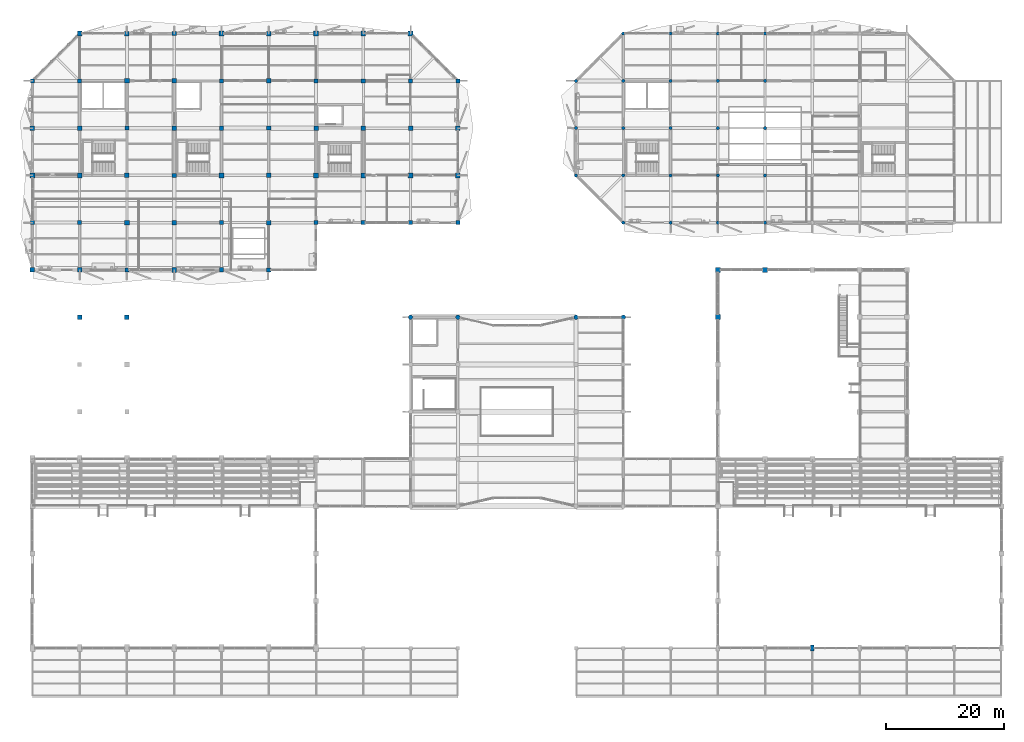
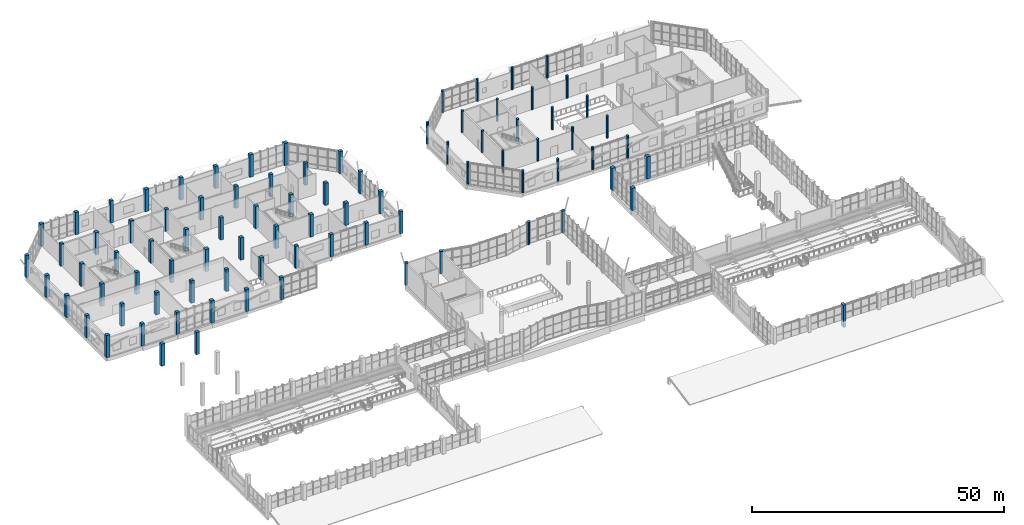
# One storey, part 5 of 122: 87 columns.
"""IFC4 building model written with IfcOpenShell, lengths in metres."""

from ifc_helpers import new_model, si_unit, direction, frame, origin, origin_2d, place, context, subcontext, project, spatial, rectangle, circle, extrude, material, material_profile, profile_set, type_object, element, save


model = new_model("IFC4")

# Units and contexts
model_context = context("Model", 3, precision=1e-05, world=origin(), true_north=direction((0.0, 1.0)))
body_context = subcontext(model_context, "Body", "Model", "MODEL_VIEW")
ifc_project = project(units=[si_unit("LENGTHUNIT", "METRE"), si_unit("AREAUNIT", "SQUARE_METRE"), si_unit("VOLUMEUNIT", "CUBIC_METRE"), si_unit("PLANEANGLEUNIT", "RADIAN"), si_unit("MASSUNIT", "GRAM", prefix="KILO")], contexts=[model_context])

# Site, building, storey
site_placement = place(None, origin())
site = spatial("IfcSite", under=ifc_project, at=site_placement, CompositionType="ELEMENT")
building_placement = place(site_placement, origin())
building = spatial("IfcBuilding", under=site, at=building_placement, Name="Tenunan Teduh Sports Hall", CompositionType="ELEMENT")
storey_placement = place(building_placement, frame((0.0, 0.0, 5.39990234375)))
storey = spatial("IfcBuildingStorey", under=building, at=storey_placement, Name="L01", CompositionType="ELEMENT", Elevation=5.39990234375)

# Columns
ifc_material_1 = material(Name="Concrete C40/50", Category="concrete")
ifc_material_profile_1 = material_profile(ifc_material_1, rectangle(XDim=0.60009765625, YDim=1.0, at=origin_2d()), Name="RC 600x1000")
ifc_profile_set_1 = profile_set([ifc_material_profile_1], Name="Concrete C40/50")
column_type_1 = type_object("IfcColumnType", Name="COL-RC-600x1000", PredefinedType="COLUMN", material=ifc_profile_set_1)
column_placement = place(storey_placement, frame((138.0, 14.0, 0.0), z_axis=(0.0, 0.0, 1.0), x_axis=(1.0, 0.0, 0.0)))
element("IfcColumn", 1, at=column_placement, inside=storey, type_object=column_type_1, Name="COL-C-16-L01-177", PredefinedType="COLUMN", context=body_context, shape_type="SweptSolid", body=[
    extrude(rectangle(XDim=0.60009765625, YDim=1.0, at=origin_2d()), origin(), (0.0, 0.0, 1.0), 5.400146484375),
])
ifc_material_2 = material(Name="Concrete C40/50", Category="concrete")
ifc_material_profile_2 = material_profile(ifc_material_2, rectangle(XDim=0.699951171875, YDim=0.699951171875, at=origin_2d()), Name="RC 700x700")
ifc_profile_set_2 = profile_set([ifc_material_profile_2], Name="Concrete C40/50")
column_type_2 = type_object("IfcColumnType", Name="COL-RC-700", PredefinedType="COLUMN", material=ifc_profile_set_2)
for number, where, z_axis, x_axis, name in (
    (2, (6.0, 86.0, 0.0), (0.0, 0.0, 1.0), (1.0, 0.0, 0.0), "COL-C-07-L01-011"),
    (3, (6.0, 110.0, 0.0), (0.0, 0.0, 1.0), (1.0, 0.0, 0.0), "COL-C-07-L01-014"),
    (4, (14.0, 86.0, 0.0), (0.0, 0.0, 1.0), (1.0, 0.0, 0.0), "COL-C-07-L01-023"),
    (5, (14.0, 110.0, 0.0), (0.0, 0.0, 1.0), (1.0, 0.0, 0.0), "COL-C-07-L01-026"),
    (6, (22.0, 78.0, 0.0), (0.0, 0.0, 1.0), (1.0, 0.0, 0.0), "COL-C-07-L01-035"),
    (7, (22.0, 102.0, 0.0), (0.0, 0.0, 1.0), (1.0, 0.0, 0.0), "COL-C-07-L01-038"),
    (8, (30.0, 94.0, 0.0), (0.0, 0.0, 1.0), (1.0, 0.0, 0.0), "COL-C-07-L01-047"),
    (9, (30.0, 118.0, 0.0), (0.0, 0.0, 1.0), (1.0, 0.0, 0.0), "COL-C-07-L01-050"),
    (10, (38.0, 86.0, 0.0), (0.0, 0.0, 1.0), (1.0, 0.0, 0.0), "COL-C-07-L01-056"),
    (11, (38.0, 110.0, 0.0), (0.0, 0.0, 1.0), (1.0, 0.0, 0.0), "COL-C-07-L01-059"),
    (12, (46.0, 78.0, 0.0), (0.0, 0.0, 1.0), (1.0, 0.0, 0.0), "COL-C-07-L01-065"),
    (13, (46.0, 102.0, 0.0), (0.0, 0.0, 1.0), (1.0, 0.0, 0.0), "COL-C-07-L01-068"),
    (14, (54.0, 86.0, 0.0), (0.0, 0.0, 1.0), (1.0, 0.0, 0.0), "COL-C-07-L01-080"),
    (15, (54.0, 110.0, 0.0), (0.0, 0.0, 1.0), (1.0, 0.0, 0.0), "COL-C-07-L01-083"),
    (16, (62.0, 86.0, 0.0), (0.0, 0.0, 1.0), (1.0, 0.0, 0.0), "COL-C-07-L01-092"),
    (17, (62.0, 110.0, 0.0), (0.0, 0.0, 1.0), (1.0, 0.0, 0.0), "COL-C-07-L01-095"),
    (18, (70.0, 86.0, 0.0), (0.0, 0.0, 1.0), (1.0, 0.0, 0.0), "COL-C-07-L01-104"),
    (19, (70.0, 110.0, 0.0), (0.0, 0.0, 1.0), (1.0, 0.0, 0.0), "COL-C-07-L01-107"),
    (20, (78.0, 86.0, 0.0), (0.0, 0.0, 1.0), (1.0, 0.0, 0.0), "COL-C-07-L01-116"),
    (21, (78.0, 110.0, 0.0), (0.0, 0.0, 1.0), (1.0, 0.0, 0.0), "COL-C-07-L01-119"),
):
    element("IfcColumn", number, at=place(storey_placement, frame(where, z_axis=z_axis, x_axis=x_axis)), inside=storey, type_object=column_type_2, Name=name, PredefinedType="COLUMN", context=body_context, shape_type="SweptSolid", body=[
        extrude(rectangle(XDim=0.699951171875, YDim=0.699951171875, at=origin_2d()), origin(), (0.0, 0.0, 1.0), 5.400146484375),
    ])
ifc_material_3 = material(Name="Concrete C40/50", Category="concrete")
ifc_material_profile_3 = material_profile(ifc_material_3, rectangle(XDim=0.75, YDim=0.75, at=origin_2d()), Name="RC 750x750")
ifc_profile_set_3 = profile_set([ifc_material_profile_3], Name="Concrete C40/50")
column_type_3 = type_object("IfcColumnType", Name="COL-RC-750", PredefinedType="COLUMN", material=ifc_profile_set_3)
for number, where, z_axis, x_axis, name in (
    (22, (6.0, 78.0, 0.0), (0.0, 0.0, 1.0), (1.0, 0.0, 0.0), "COL-C-06-L01-010"),
    (23, (6.0, 102.0, 0.0), (0.0, 0.0, 1.0), (1.0, 0.0, 0.0), "COL-C-06-L01-013"),
    (24, (14.0, 78.0, 0.0), (0.0, 0.0, 1.0), (1.0, 0.0, 0.0), "COL-C-06-L01-022"),
    (25, (14.0, 102.0, 0.0), (0.0, 0.0, 1.0), (1.0, 0.0, 0.0), "COL-C-06-L01-025"),
    (26, (22.0, 70.0, 0.0), (0.0, 0.0, 1.0), (1.0, 0.0, 0.0), "COL-C-06-L01-034"),
    (27, (22.0, 94.0, 0.0), (0.0, 0.0, 1.0), (1.0, 0.0, 0.0), "COL-C-06-L01-037"),
    (28, (22.0, 118.0, 0.0), (0.0, 0.0, 1.0), (1.0, 0.0, 0.0), "COL-C-06-L01-040"),
    (29, (30.0, 86.0, 0.0), (0.0, 0.0, 1.0), (1.0, 0.0, 0.0), "COL-C-06-L01-046"),
    (30, (30.0, 110.0, 0.0), (0.0, 0.0, 1.0), (1.0, 0.0, 0.0), "COL-C-06-L01-049"),
    (31, (38.0, 78.0, 0.0), (0.0, 0.0, 1.0), (1.0, 0.0, 0.0), "COL-C-06-L01-055"),
    (32, (38.0, 102.0, 0.0), (0.0, 0.0, 1.0), (1.0, 0.0, 0.0), "COL-C-06-L01-058"),
    (33, (46.0, 94.0, 0.0), (0.0, 0.0, 1.0), (1.0, 0.0, 0.0), "COL-C-06-L01-067"),
    (34, (46.0, 118.0, 0.0), (0.0, 0.0, 1.0), (1.0, 0.0, 0.0), "COL-C-06-L01-070"),
    (35, (54.0, 102.0, 0.0), (0.0, 0.0, 1.0), (1.0, 0.0, 0.0), "COL-C-06-L01-082"),
    (36, (62.0, 102.0, 0.0), (0.0, 0.0, 1.0), (1.0, 0.0, 0.0), "COL-C-06-L01-094"),
    (37, (70.0, 102.0, 0.0), (0.0, 0.0, 1.0), (1.0, 0.0, 0.0), "COL-C-06-L01-106"),
    (38, (78.0, 102.0, 0.0), (0.0, 0.0, 1.0), (1.0, 0.0, 0.0), "COL-C-06-L01-118"),
):
    element("IfcColumn", number, at=place(storey_placement, frame(where, z_axis=z_axis, x_axis=x_axis)), inside=storey, type_object=column_type_3, Name=name, PredefinedType="COLUMN", context=body_context, shape_type="SweptSolid", body=[
        extrude(rectangle(XDim=0.75, YDim=0.75, at=origin_2d()), origin(), (0.0, 0.0, 1.0), 5.400146484375),
    ])
ifc_material_4 = material(Name="Concrete C40/50", Category="concrete")
ifc_material_profile_4 = material_profile(ifc_material_4, rectangle(XDim=0.800048828125, YDim=0.800048828125, at=origin_2d()), Name="RC 800x800")
ifc_profile_set_4 = profile_set([ifc_material_profile_4], Name="Concrete C40/50")
column_type_4 = type_object("IfcColumnType", Name="COL-RC-800", PredefinedType="COLUMN", material=ifc_profile_set_4)
for number, where, z_axis, x_axis, name in (
    (39, (6.0, 94.0, 0.0), (0.0, 0.0, 1.0), (1.0, 0.0, 0.0), "COL-C-05-L01-012"),
    (40, (14.0, 70.0, 0.0), (0.0, 0.0, 1.0), (1.0, 0.0, 0.0), "COL-C-05-L01-021"),
    (41, (14.0, 94.0, 0.0), (0.0, 0.0, 1.0), (1.0, 0.0, 0.0), "COL-C-05-L01-024"),
    (42, (14.0, 118.0, 0.0), (0.0, 0.0, 1.0), (1.0, 0.0, 0.0), "COL-C-05-L01-027"),
    (43, (22.0, 86.0, 0.0), (0.0, 0.0, 1.0), (1.0, 0.0, 0.0), "COL-C-05-L01-036"),
    (44, (22.0, 110.0, 0.0), (0.0, 0.0, 1.0), (1.0, 0.0, 0.0), "COL-C-05-L01-039"),
    (45, (30.0, 78.0, 0.0), (0.0, 0.0, 1.0), (1.0, 0.0, 0.0), "COL-C-05-L01-045"),
    (46, (30.0, 102.0, 0.0), (0.0, 0.0, 1.0), (1.0, 0.0, 0.0), "COL-C-05-L01-048"),
    (47, (38.0, 94.0, 0.0), (0.0, 0.0, 1.0), (1.0, 0.0, 0.0), "COL-C-05-L01-057"),
    (48, (38.0, 118.0, 0.0), (0.0, 0.0, 1.0), (1.0, 0.0, 0.0), "COL-C-05-L01-060"),
    (49, (46.0, 86.0, 0.0), (0.0, 0.0, 1.0), (1.0, 0.0, 0.0), "COL-C-05-L01-066"),
    (50, (46.0, 110.0, 0.0), (0.0, 0.0, 1.0), (1.0, 0.0, 0.0), "COL-C-05-L01-069"),
    (51, (54.0, 94.0, 0.0), (0.0, 0.0, 1.0), (1.0, 0.0, 0.0), "COL-C-05-L01-081"),
    (52, (54.0, 118.0, 0.0), (0.0, 0.0, 1.0), (1.0, 0.0, 0.0), "COL-C-05-L01-084"),
    (53, (62.0, 94.0, 0.0), (0.0, 0.0, 1.0), (1.0, 0.0, 0.0), "COL-C-05-L01-093"),
    (54, (62.0, 118.0, 0.0), (0.0, 0.0, 1.0), (1.0, 0.0, 0.0), "COL-C-05-L01-096"),
    (55, (70.0, 94.0, 0.0), (0.0, 0.0, 1.0), (1.0, 0.0, 0.0), "COL-C-05-L01-105"),
    (56, (70.0, 118.0, 0.0), (0.0, 0.0, 1.0), (1.0, 0.0, 0.0), "COL-C-05-L01-108"),
    (57, (78.0, 94.0, 0.0), (0.0, 0.0, 1.0), (1.0, 0.0, 0.0), "COL-C-05-L01-117"),
):
    element("IfcColumn", number, at=place(storey_placement, frame(where, z_axis=z_axis, x_axis=x_axis)), inside=storey, type_object=column_type_4, Name=name, PredefinedType="COLUMN", context=body_context, shape_type="SweptSolid", body=[
        extrude(rectangle(XDim=0.800048828125, YDim=0.800048828125, at=origin_2d()), origin(), (0.0, 0.0, 1.0), 5.400146484375),
    ])
ifc_material_5 = material(Name="Concrete C40/50", Category="concrete")
ifc_material_profile_5 = material_profile(ifc_material_5, rectangle(XDim=0.85009765625, YDim=0.85009765625, at=origin_2d()), Name="RC 850x850")
ifc_profile_set_5 = profile_set([ifc_material_profile_5], Name="Concrete C40/50")
column_type_5 = type_object("IfcColumnType", Name="COL-RC-850", PredefinedType="COLUMN", material=ifc_profile_set_5)
for number, where, z_axis, x_axis, name in (
    (58, (122.0, 70.0, 0.0), (0.0, 0.0, 1.0), (1.0, 0.0, 0.0), "COL-C-04-L01-159"),
    (59, (122.0, 78.0, 0.0), (0.0, 0.0, 1.0), (1.0, 0.0, 0.0), "COL-C-04-L01-160"),
    (60, (130.0, 78.0, 0.0), (0.0, 0.0, 1.0), (1.0, 0.0, 0.0), "COL-C-04-L01-170"),
):
    element("IfcColumn", number, at=place(storey_placement, frame(where, z_axis=z_axis, x_axis=x_axis)), inside=storey, type_object=column_type_5, Name=name, PredefinedType="COLUMN", context=body_context, shape_type="SweptSolid", body=[
        extrude(rectangle(XDim=0.85009765625, YDim=0.85009765625, at=origin_2d()), origin(), (0.0, 0.0, 1.0), 5.400146484375),
    ])
ifc_material_6 = material(Name="Concrete C40/50", Category="concrete")
ifc_material_profile_6 = material_profile(ifc_material_6, circle(Radius=0.27490234375, at=origin_2d()), Name="RCC D550")
ifc_profile_set_6 = profile_set([ifc_material_profile_6], Name="Concrete C40/50")
column_type_6 = type_object("IfcColumnType", Name="COL-RCC-550", PredefinedType="COLUMN", material=ifc_profile_set_6)
for number, where, z_axis, x_axis, name in (
    (61, (98.0, 94.0, 0.0), (0.0, 0.0, 1.0), (1.0, 0.0, 0.0), "COL-C-22-L01-127"),
    (62, (98.0, 102.0, 0.0), (0.0, 0.0, 1.0), (1.0, 0.0, 0.0), "COL-C-22-L01-128"),
    (63, (98.0, 110.0, 0.0), (0.0, 0.0, 1.0), (1.0, 0.0, 0.0), "COL-C-22-L01-129"),
    (64, (106.0, 86.0, 0.0), (0.0, 0.0, 1.0), (1.0, 0.0, 0.0), "COL-C-22-L01-137"),
    (65, (106.0, 94.0, 0.0), (0.0, 0.0, 1.0), (1.0, 0.0, 0.0), "COL-C-22-L01-138"),
    (66, (106.0, 102.0, 0.0), (0.0, 0.0, 1.0), (1.0, 0.0, 0.0), "COL-C-22-L01-139"),
    (67, (106.0, 110.0, 0.0), (0.0, 0.0, 1.0), (1.0, 0.0, 0.0), "COL-C-22-L01-140"),
    (68, (106.0, 118.0, 0.0), (0.0, 0.0, 1.0), (1.0, 0.0, 0.0), "COL-C-22-L01-141"),
    (69, (114.0, 86.0, 0.0), (0.0, 0.0, 1.0), (1.0, 0.0, 0.0), "COL-C-22-L01-146"),
    (70, (114.0, 94.0, 0.0), (0.0, 0.0, 1.0), (1.0, 0.0, 0.0), "COL-C-22-L01-147"),
    (71, (114.0, 102.0, 0.0), (0.0, 0.0, 1.0), (1.0, 0.0, 0.0), "COL-C-22-L01-148"),
    (72, (114.0, 110.0, 0.0), (0.0, 0.0, 1.0), (1.0, 0.0, 0.0), "COL-C-22-L01-149"),
    (73, (114.0, 118.0, 0.0), (0.0, 0.0, 1.0), (1.0, 0.0, 0.0), "COL-C-22-L01-150"),
    (74, (122.0, 86.0, 0.0), (0.0, 0.0, 1.0), (1.0, 0.0, 0.0), "COL-C-22-L01-161"),
    (75, (122.0, 94.0, 0.0), (0.0, 0.0, 1.0), (1.0, 0.0, 0.0), "COL-C-22-L01-162"),
    (76, (122.0, 102.0, 0.0), (0.0, 0.0, 1.0), (1.0, 0.0, 0.0), "COL-C-22-L01-163"),
    (77, (122.0, 110.0, 0.0), (0.0, 0.0, 1.0), (1.0, 0.0, 0.0), "COL-C-22-L01-164"),
    (78, (122.0, 118.0, 0.0), (0.0, 0.0, 1.0), (1.0, 0.0, 0.0), "COL-C-22-L01-165"),
    (79, (130.0, 86.0, 0.0), (0.0, 0.0, 1.0), (1.0, 0.0, 0.0), "COL-C-22-L01-171"),
    (80, (130.0, 94.0, 0.0), (0.0, 0.0, 1.0), (1.0, 0.0, 0.0), "COL-C-22-L01-172"),
    (81, (130.0, 102.0, 0.0), (0.0, 0.0, 1.0), (1.0, 0.0, 0.0), "COL-C-22-L01-173"),
    (82, (130.0, 110.0, 0.0), (0.0, 0.0, 1.0), (1.0, 0.0, 0.0), "COL-C-22-L01-174"),
    (83, (130.0, 118.0, 0.0), (0.0, 0.0, 1.0), (1.0, 0.0, 0.0), "COL-C-22-L01-175"),
):
    element("IfcColumn", number, at=place(storey_placement, frame(where, z_axis=z_axis, x_axis=x_axis)), inside=storey, type_object=column_type_6, Name=name, PredefinedType="COLUMN", context=body_context, shape_type="SweptSolid", body=[
        extrude(circle(Radius=0.27490234375, at=origin_2d()), origin(), (0.0, 0.0, 1.0), 5.400146484375),
    ])
ifc_material_7 = material(Name="Concrete C40/50", Category="concrete")
ifc_material_profile_7 = material_profile(ifc_material_7, circle(Radius=0.375, at=origin_2d()), Name="RCC D750")
ifc_profile_set_7 = profile_set([ifc_material_profile_7], Name="Concrete C40/50")
column_type_7 = type_object("IfcColumnType", Name="COL-RCC-750", PredefinedType="COLUMN", material=ifc_profile_set_7)
for number, where, z_axis, x_axis, name in (
    (84, (70.0, 70.0, 0.0), (0.0, 0.0, 1.0), (1.0, 0.0, 0.0), "COL-C-20-L01-103"),
    (85, (78.0, 70.0, 0.0), (0.0, 0.0, 1.0), (1.0, 0.0, 0.0), "COL-C-20-L01-115"),
    (86, (98.0, 70.0, 0.0), (0.0, 0.0, 1.0), (1.0, 0.0, 0.0), "COL-C-20-L01-126"),
    (87, (106.0, 70.0, 0.0), (0.0, 0.0, 1.0), (1.0, 0.0, 0.0), "COL-C-20-L01-136"),
):
    element("IfcColumn", number, at=place(storey_placement, frame(where, z_axis=z_axis, x_axis=x_axis)), inside=storey, type_object=column_type_7, Name=name, PredefinedType="COLUMN", context=body_context, shape_type="SweptSolid", body=[
        extrude(circle(Radius=0.375, at=origin_2d()), origin(), (0.0, 0.0, 1.0), 5.400146484375),
    ])

save(model, "model.ifc")
